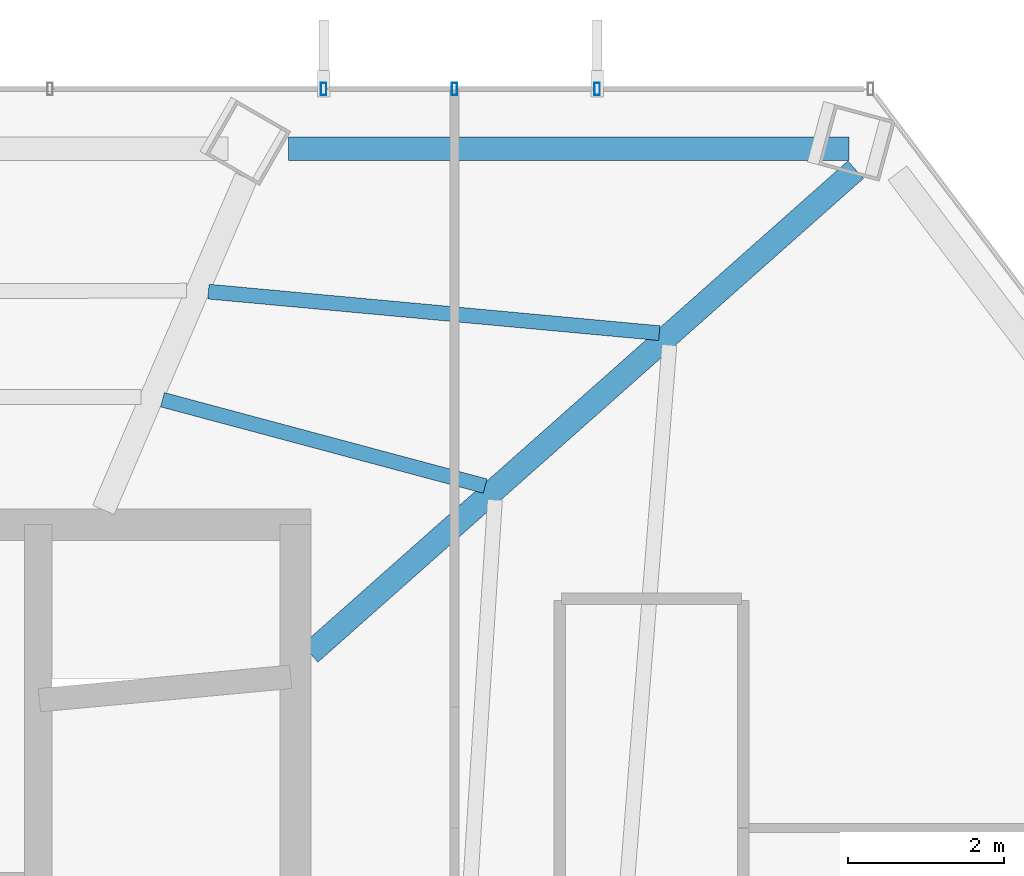
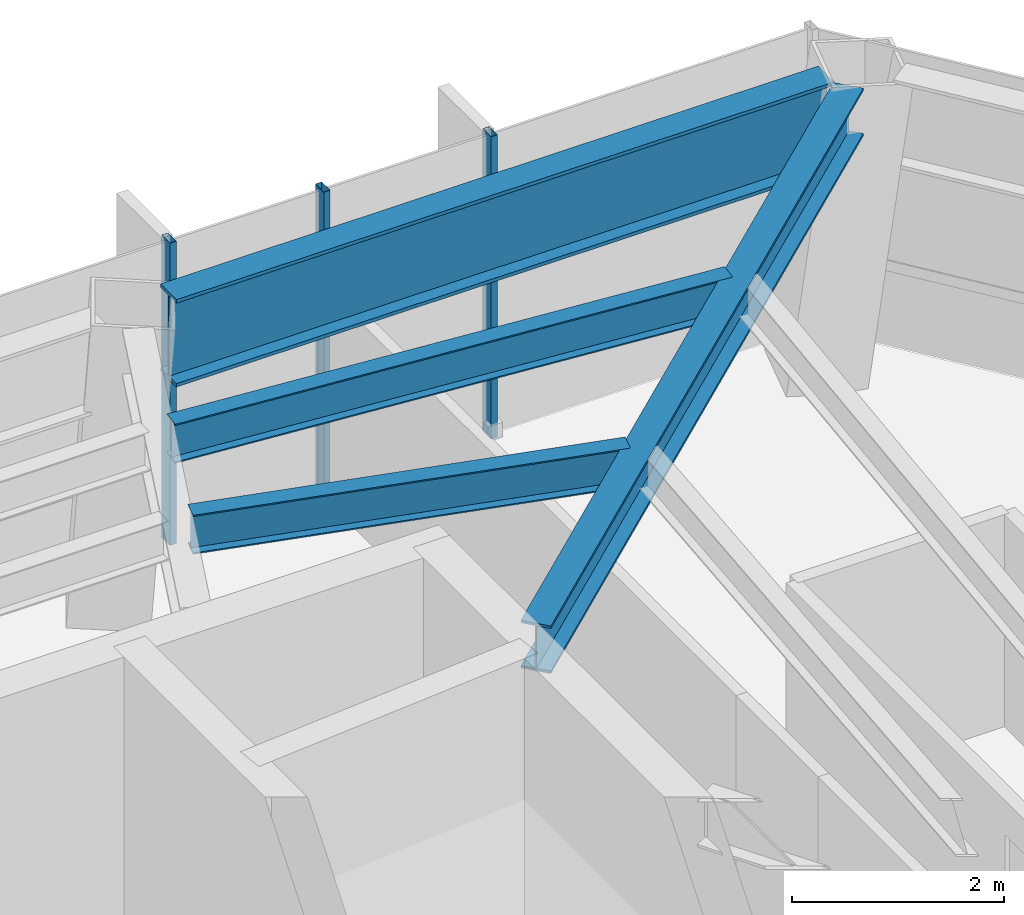
# One storey, part 22 of 28: 4 beams, 3 members, 1 element without a shape of its own.
"""IFC4 building model written with IfcOpenShell, lengths in metres."""

import ifcopenshell
import ifcopenshell.guid

model = None  # the IFC model being written
_history = None  # IfcOwnerHistory: only IFC2X3 demands one
_inside = {}  # id of a spatial element -> (the spatial element, [elements in it])
_under = {}  # id of a project, library or spatial element -> (it, [spatial elements below it])
_declared = {}  # id of a project -> (the project, [libraries it declares])
_typed = {}  # id of a type object -> (the type object, [elements of that type])
_made_of = {}  # id of a material, layer set ... -> (it, [elements and type objects made of it])


def new_model(schema):
    """Start an empty IFC model of exactly this schema.

    Asked for "IFC4X3", IfcOpenShell would pick the latest addendum, in which some entities
    have other attributes; the version numbers below select the first issue.
    IFC2X3 requires an IfcOwnerHistory on every rooted entity: one is made here for all.
    """
    global model, _history
    if schema == "IFC4X3":
        model = ifcopenshell.file(schema_version=(4, 3, 0, 0))
    else:
        model = ifcopenshell.file(schema=schema)
    _inside.clear()
    _under.clear()
    _declared.clear()
    _typed.clear()
    _made_of.clear()
    _history = None
    if model.schema == "IFC2X3":
        org = make("IfcOrganization", Name="unknown")
        user = make(
            "IfcPersonAndOrganization",
            ThePerson=make("IfcPerson", FamilyName="unknown"),
            TheOrganization=org,
        )
        app = make(
            "IfcApplication",
            ApplicationDeveloper=org,
            Version="unknown",
            ApplicationFullName="unknown",
            ApplicationIdentifier="unknown",
        )
        _history = make(
            "IfcOwnerHistory",
            OwningUser=user,
            OwningApplication=app,
            ChangeAction="ADDED",
            CreationDate=0,
        )
    return model


def make(cls, **values):
    """One entity of the class cls with the attributes given. An attribute that is None is left unset."""
    return model.create_entity(
        cls, **{name: value for name, value in values.items() if value is not None}
    )


def rooted(cls, **values):
    """An entity with a GlobalId (a new one), such as an element, a storey or a relation."""
    return make(cls, GlobalId=ifcopenshell.guid.new(), OwnerHistory=_history, **values)


def si_unit(unit_type, name, prefix=None):
    """IfcSIUnit, for example si_unit("LENGTHUNIT", "METRE", prefix="MILLI")."""
    return make("IfcSIUnit", UnitType=unit_type, Prefix=prefix, Name=name)


def assignment(units):
    """IfcUnitAssignment: the units of a project."""
    return None if units is None else make("IfcUnitAssignment", Units=units)


def point(xyz):
    """IfcCartesianPoint."""
    return None if xyz is None else make("IfcCartesianPoint", Coordinates=xyz)


def direction(xyz):
    """IfcDirection."""
    return None if xyz is None else make("IfcDirection", DirectionRatios=xyz)


def frame(location, z_axis=None, x_axis=None):
    """IfcAxis2Placement3D, a coordinate frame: its origin and axes. An axis left out is left unset."""
    return make(
        "IfcAxis2Placement3D",
        Location=point(location),
        Axis=direction(z_axis),
        RefDirection=direction(x_axis),
    )


def frame_2d(location, x_axis=None):
    """IfcAxis2Placement2D, a coordinate frame in the plane: its origin and x axis."""
    return make(
        "IfcAxis2Placement2D", Location=point(location), RefDirection=direction(x_axis)
    )


def origin():
    """The frame at (0, 0, 0) with its axes left unset."""
    return frame((0.0, 0.0, 0.0))


def origin_2d():
    """The frame at (0, 0) in the plane with its x axis left unset."""
    return frame_2d((0.0, 0.0))


def place(relative_to, where):
    """IfcLocalPlacement: puts the frame where relative to a parent placement (None: the world)."""
    return make(
        "IfcLocalPlacement", PlacementRelTo=relative_to, RelativePlacement=where
    )


def context(
    kind, dimensions, precision=None, world=None, true_north=None, identifier=None
):
    """IfcGeometricRepresentationContext, for example the 3D "Model" context."""
    return make(
        "IfcGeometricRepresentationContext",
        ContextIdentifier=identifier,
        ContextType=kind,
        CoordinateSpaceDimension=dimensions,
        Precision=precision,
        WorldCoordinateSystem=world,
        TrueNorth=true_north,
    )


def subcontext(parent, identifier, kind, view, scale=None):
    """IfcGeometricRepresentationSubContext, for example "Body" below "Model"."""
    return make(
        "IfcGeometricRepresentationSubContext",
        ContextIdentifier=identifier,
        ContextType=kind,
        ParentContext=parent,
        TargetScale=scale,
        TargetView=view,
    )


def project(units=None, contexts=None):
    """IfcProject with its units and contexts."""
    return rooted(
        "IfcProject",
        Name="project",
        RepresentationContexts=contexts,
        UnitsInContext=assignment(units),
    )


def spatial(cls, under=None, at=None, **own):
    """A site, building, storey or space (cls), placed at a placement, below another one or the project."""
    s = rooted(cls, ObjectPlacement=at, **own)
    if under is not None:
        _under.setdefault(under.id(), (under, []))[1].append(s)
    return s


def profile(cls, at=None, kind="AREA", **sizes):
    """A parametric profile (cls). Its sizes go by their IFC names, for example OverallWidth=200.0."""
    return make(cls, ProfileType=kind, Position=at, **sizes)


def hollow_rectangle(**sizes):
    """IfcRectangleHollowProfileDef."""
    return profile("IfcRectangleHollowProfileDef", **sizes)


def i_section(**sizes):
    """IfcIShapeProfileDef."""
    return profile("IfcIShapeProfileDef", **sizes)


def extrude(swept, where, along, depth):
    """IfcExtrudedAreaSolid: the profile swept, set in the frame where, extruded along a direction by depth."""
    return make(
        "IfcExtrudedAreaSolid",
        SweptArea=swept,
        Position=where,
        ExtrudedDirection=direction(along),
        Depth=depth,
    )


def shape(context_of_items, identifier, shape_type, items):
    """IfcShapeRepresentation: the items that make up one representation, for example the "Body"."""
    return make(
        "IfcShapeRepresentation",
        ContextOfItems=context_of_items,
        RepresentationIdentifier=identifier,
        RepresentationType=shape_type,
        Items=items,
    )


def material(Name=None, Category=None):
    """IfcMaterial."""
    return make("IfcMaterial", Name=Name, Category=Category)


def layer(
    of_material, thickness, ventilated=None, Name=None, Category=None, Priority=None
):
    """IfcMaterialLayer: one layer of a wall or slab, of a material (None: an air gap)."""
    return make(
        "IfcMaterialLayer",
        Material=of_material,
        LayerThickness=thickness,
        IsVentilated=ventilated,
        Name=Name,
        Category=Category,
        Priority=Priority,
    )


def layer_set(layers, Name=None):
    """IfcMaterialLayerSet."""
    return make("IfcMaterialLayerSet", MaterialLayers=layers, LayerSetName=Name)


def material_profile(
    of_material, cross_section, Name=None, Category=None, Priority=None
):
    """IfcMaterialProfile: a cross section and its material."""
    return make(
        "IfcMaterialProfile",
        Name=Name,
        Material=of_material,
        Profile=cross_section,
        Priority=Priority,
        Category=Category,
    )


def profile_set(profiles, Name=None, composite=None):
    """IfcMaterialProfileSet."""
    return make(
        "IfcMaterialProfileSet",
        Name=Name,
        MaterialProfiles=profiles,
        CompositeProfile=composite,
    )


def made_of(thing, what):
    """Note that an element or type object is made of a material, layer set ...; save() writes the relation."""
    if what is not None:
        _made_of.setdefault(what.id(), (what, []))[1].append(thing)
    return thing


def type_object(cls, material=None, **own):
    """A type object (cls), such as IfcWallType, which elements share."""
    return made_of(rooted(cls, **own), material)


def element(
    cls,
    number,
    at=None,
    inside=None,
    cuts=None,
    type_object=None,
    material=None,
    context=None,
    identifier="Body",
    shape_type=None,
    held_by="IfcProductDefinitionShape",
    body=None,
    shapes=None,
    **own,
):
    """One element of the class cls, such as IfcWall. Its Tag is "e" and its number.

    at: its placement. inside: the storey or other place that contains it. cuts: it is an
    opening in that element (IfcRelVoidsElement). A single representation is given by context,
    identifier, shape_type and body (its items); several are given by shapes. held_by: the class
    of the entity that holds the representations. save() writes the other relations.
    """
    e = rooted(cls, Tag="e%d" % number, ObjectPlacement=at, **own)
    if body is not None:
        shapes = [shape(context, identifier, shape_type, body)]
    if shapes is not None:
        e.Representation = make(held_by, Representations=shapes)
    if inside is not None:
        _inside.setdefault(inside.id(), (inside, []))[1].append(e)
    if cuts is not None:
        rooted(
            "IfcRelVoidsElement", RelatingBuildingElement=cuts, RelatedOpeningElement=e
        )
    if type_object is not None:
        _typed.setdefault(type_object.id(), (type_object, []))[1].append(e)
    return made_of(e, material)


def aggregate(whole, parts):
    """IfcRelAggregates: a whole, such as a stair, and the parts it consists of."""
    return rooted("IfcRelAggregates", RelatingObject=whole, RelatedObjects=parts)


def save(model, path):
    """Write the relations noted so far, then the file.

    IfcRelAggregates (storeys below a building ...), IfcRelContainedInSpatialStructure (elements
    in a storey), IfcRelDefinesByType, IfcRelAssociatesMaterial and IfcRelDeclares: one each for
    every whole, place, type object, material and project.
    """
    for whole, parts in _under.values():
        aggregate(whole, parts)
    for where, things in _inside.values():
        rooted(
            "IfcRelContainedInSpatialStructure",
            RelatedElements=things,
            RelatingStructure=where,
        )
    for kind, things in _typed.values():
        rooted("IfcRelDefinesByType", RelatedObjects=things, RelatingType=kind)
    for what, things in _made_of.values():
        rooted("IfcRelAssociatesMaterial", RelatedObjects=things, RelatingMaterial=what)
    for by, libraries in _declared.values():
        rooted("IfcRelDeclares", RelatingContext=by, RelatedDefinitions=libraries)
    model.write(path)


model = new_model("IFC4")

# Units and contexts
model_context = context("Model", 3, precision=1e-05, world=origin(), true_north=direction((0.0, 1.0)))
body_context = subcontext(model_context, "Body", "Model", "MODEL_VIEW")
ifc_project = project(units=[si_unit("LENGTHUNIT", "METRE"), si_unit("AREAUNIT", "SQUARE_METRE"), si_unit("VOLUMEUNIT", "CUBIC_METRE"), si_unit("PLANEANGLEUNIT", "RADIAN"), si_unit("MASSUNIT", "GRAM", prefix="KILO")], contexts=[model_context])

# Site, building, storey
site_placement = place(None, origin())
site = spatial("IfcSite", under=ifc_project, at=site_placement, CompositionType="ELEMENT")
building_placement = place(site_placement, origin())
building = spatial("IfcBuilding", under=site, at=building_placement, Name="Zarrinselat Tower", CompositionType="ELEMENT")
storey_placement = place(building_placement, frame((0.0, 0.0, 153.340087890625)))
storey = spatial("IfcBuildingStorey", under=building, at=storey_placement, Name="L37", CompositionType="ELEMENT", Elevation=153.340087890625)

# Beams
ifc_material_1 = material(Name="Steel S355J2", Category="steel")
ifc_material_profile_1 = material_profile(ifc_material_1, i_section(OverallWidth=0.300048828125, OverallDepth=0.550048828125, WebThickness=0.014892578125, FlangeThickness=0.029052734375, at=origin_2d()), Name="HEB 550")
ifc_profile_set_1 = profile_set([ifc_material_profile_1], Name="Steel S355J2")
beam_type_1 = type_object("IfcBeamType", Name="BM-HEB550", PredefinedType="BEAM", material=ifc_profile_set_1)
beam_1_placement = place(storey_placement, frame((48.449951171875, 41.800048828125, 3.21484375), z_axis=(0.748188638994, 0.663486066531, 0.0), x_axis=(-0.663486066531, 0.748188638994, 0.0)))
element("IfcBeam", 1, at=beam_1_placement, inside=storey, type_object=beam_type_1, Name="L37 Radial Primary Girder RG01", PredefinedType="BEAM", context=body_context, shape_type="SweptSolid", body=[
    extrude(i_section(OverallWidth=0.300048828125, OverallDepth=0.550048828125, WebThickness=0.014892578125, FlangeThickness=0.029052734375, at=origin_2d()), origin(), (0.0, 0.0, 1.0), 9.344482421875),
])
ifc_material_2 = material(Name="Steel S460M", Category="steel")
ifc_material_profile_2 = material_profile(ifc_material_2, i_section(OverallWidth=0.302001953125, OverallDepth=1.008056640625, WebThickness=0.02099609375, FlangeThickness=0.0400390625, at=origin_2d()), Name="HEM 1000")
ifc_profile_set_2 = profile_set([ifc_material_profile_2], Name="Steel S460M")
beam_type_2 = type_object("IfcBeamType", Name="BM-HEM1000", PredefinedType="BEAM", material=ifc_profile_set_2)
beam_2_placement = place(storey_placement, frame((48.174072265625, 48.2666015625, 2.98583984375), z_axis=(1.0, 0.0, 0.0), x_axis=(0.0, 1.0, 0.0)))
element("IfcBeam", 2, at=beam_2_placement, inside=storey, type_object=beam_type_2, Name="L37 Perimeter Spandrel Girder SP01", PredefinedType="BEAM", context=body_context, shape_type="SweptSolid", body=[
    extrude(i_section(OverallWidth=0.302001953125, OverallDepth=1.008056640625, WebThickness=0.02099609375, FlangeThickness=0.0400390625, at=origin_2d()), origin(), (0.0, 0.0, 1.0), 7.18017578125),
])
ifc_material_3 = material(Name="Steel S355J2", Category="steel")
ifc_material_profile_3 = material_profile(ifc_material_3, i_section(OverallWidth=0.18994140625, OverallDepth=0.449951171875, WebThickness=0.009521484375, FlangeThickness=0.0146484375, at=origin_2d()), Name="IPE 450")
ifc_profile_set_3 = profile_set([ifc_material_profile_3], Name="Steel S355J2")
beam_type_3 = type_object("IfcBeamType", Name="BM-IPE450", PredefinedType="JOIST", material=ifc_profile_set_3)
beam_3_placement = place(storey_placement, frame((47.1455078125, 46.43701171875, 3.264892578125), z_axis=(0.995786321909, -0.091703877229, 0.0), x_axis=(0.091703877229, 0.995786321909, 0.0)))
element("IfcBeam", 3, at=beam_3_placement, inside=storey, type_object=beam_type_3, Name="L37 Composite Floor Joist 5-1", PredefinedType="JOIST", context=body_context, shape_type="SweptSolid", body=[
    extrude(i_section(OverallWidth=0.18994140625, OverallDepth=0.449951171875, WebThickness=0.009521484375, FlangeThickness=0.0146484375, at=origin_2d()), origin(), (0.0, 0.0, 1.0), 5.8037109375),
])
beam_4_placement = place(storey_placement, frame((46.556640625, 45.05126953125, 3.264892578125), z_axis=(0.965976043374, -0.258631559612, 0.0), x_axis=(0.258631559612, 0.965976043374, 0.0)))
element("IfcBeam", 4, at=beam_4_placement, inside=storey, type_object=beam_type_3, Name="L37 Composite Floor Joist 5-2", PredefinedType="JOIST", context=body_context, shape_type="SweptSolid", body=[
    extrude(i_section(OverallWidth=0.18994140625, OverallDepth=0.449951171875, WebThickness=0.009521484375, FlangeThickness=0.0146484375, at=origin_2d()), origin(), (0.0, 0.0, 1.0), 4.281005859375),
])

# Curtain wall, members
ifc_material_4 = material(Name="Extruded Aluminium Alloy EN AW-6063 T6", Category="aluminium")
ifc_layer = layer(ifc_material_4, 0.175048828125)
ifc_layer_set = layer_set([ifc_layer], Name="Extruded Aluminium Alloy EN AW-6063 T6")
curtain_wall_type = type_object("IfcCurtainWallType", Name="CWS-HTL", PredefinedType="NOTDEFINED", material=ifc_layer_set)
curtain_wall_placement = place(storey_placement, origin())
curtain_wall = element("IfcCurtainWall", 5, at=curtain_wall_placement, inside=storey, type_object=curtain_wall_type, Name="L37 Unitised Curtain Wall CW-L37-E01", PredefinedType="NOTDEFINED")
ifc_material_5 = material(Name="Extruded Aluminium Alloy EN AW-6063 T6", Category="aluminium")
ifc_material_profile_4 = material_profile(ifc_material_5, hollow_rectangle(XDim=0.070068359375, YDim=0.159912109375, WallThickness=0.00390625, at=origin_2d()), Name="RHS 160x70x4")
ifc_profile_set_4 = profile_set([ifc_material_profile_4], Name="Extruded Aluminium Alloy EN AW-6063 T6")
member_type = type_object("IfcMemberType", Name="MEM-CW-MUL2", PredefinedType="MULLION", material=ifc_profile_set_4)
member_1_placement = place(storey_placement, frame((52.126953125, 49.033203125, 0.0), z_axis=(0.0, 0.0, 1.0), x_axis=(-1.0, 0.0, 0.0)))
member_1 = element("IfcMember", 6, at=member_1_placement, type_object=member_type, Name="CW-L37-E01 Mullion 1", PredefinedType="MULLION", context=body_context, shape_type="SweptSolid", body=[
    extrude(hollow_rectangle(XDim=0.070068359375, YDim=0.159912109375, WallThickness=0.00390625, at=origin_2d()), origin(), (0.0, 0.0, 1.0), 3.489990234375),
])
member_2_placement = place(storey_placement, frame((50.300048828125, 49.033203125, 0.0), z_axis=(0.0, 0.0, 1.0), x_axis=(-1.0, 0.0, 0.0)))
member_2 = element("IfcMember", 7, at=member_2_placement, type_object=member_type, Name="CW-L37-E01 Mullion 2", PredefinedType="MULLION", context=body_context, shape_type="SweptSolid", body=[
    extrude(hollow_rectangle(XDim=0.070068359375, YDim=0.159912109375, WallThickness=0.00390625, at=origin_2d()), origin(), (0.0, 0.0, 1.0), 3.489990234375),
])
member_3_placement = place(storey_placement, frame((48.621337890625, 49.033203125, 0.0), z_axis=(0.0, 0.0, 1.0), x_axis=(-1.0, 0.0, 0.0)))
member_3 = element("IfcMember", 8, at=member_3_placement, type_object=member_type, Name="CW-L37-E01 Mullion 3", PredefinedType="MULLION", context=body_context, shape_type="SweptSolid", body=[
    extrude(hollow_rectangle(XDim=0.070068359375, YDim=0.159912109375, WallThickness=0.00390625, at=origin_2d()), origin(), (0.0, 0.0, 1.0), 3.489990234375),
])
aggregate(curtain_wall, [member_1, member_2, member_3])

save(model, "model.ifc")
